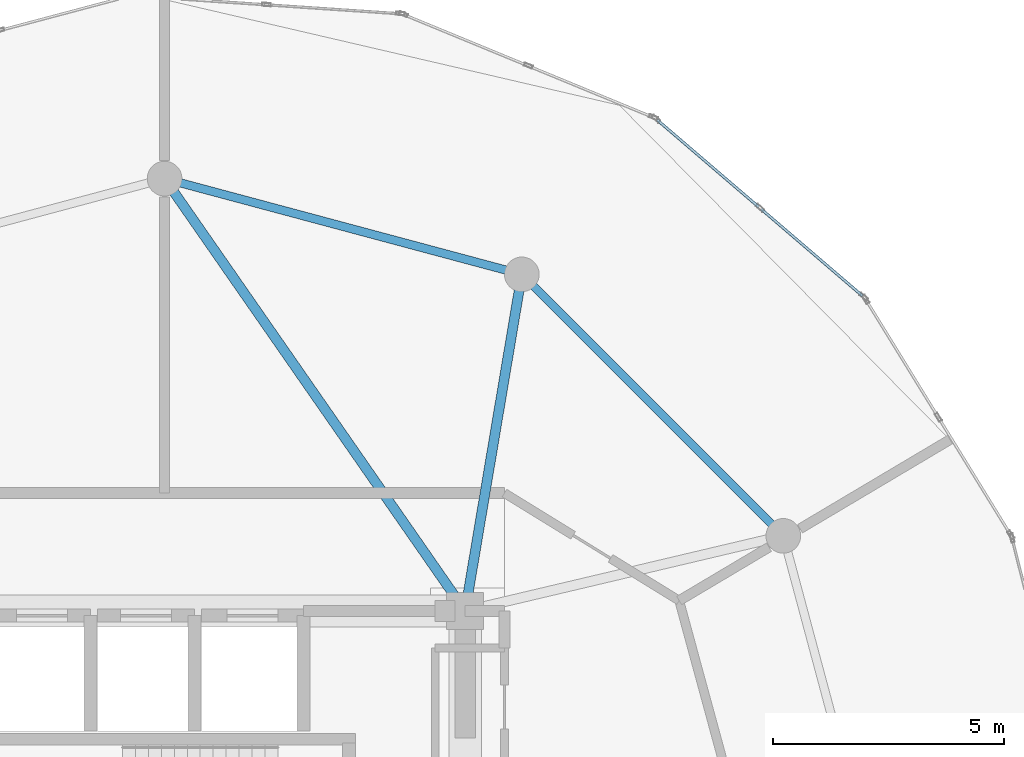
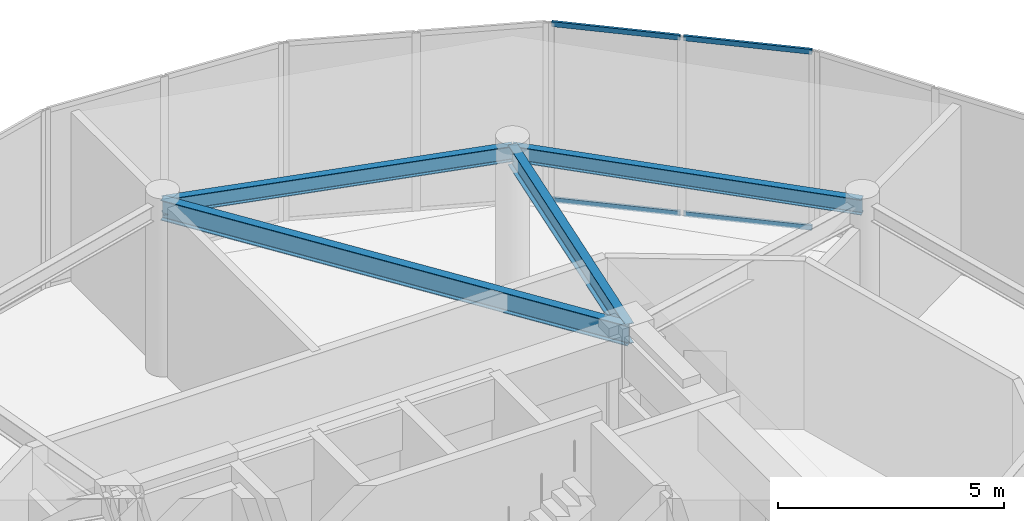
# One storey, part 13 of 21: 4 beams, 4 members, 1 element without a shape of its own.
"""IFC4 building model written with IfcOpenShell, lengths in metres."""

from ifc_helpers import new_model, si_unit, direction, frame, origin, origin_2d, place, context, subcontext, project, spatial, hollow_rectangle, i_section, extrude, source, transform, mapped, material, layer, layer_set, material_profile, profile_set, type_object, element, aggregate, save


model = new_model("IFC4")

# Units and contexts
model_context = context("Model", 3, precision=1e-05, world=origin(), true_north=direction((0.0, 1.0)))
body_context = subcontext(model_context, "Body", "Model", "MODEL_VIEW")
ifc_project = project(units=[si_unit("LENGTHUNIT", "METRE"), si_unit("AREAUNIT", "SQUARE_METRE"), si_unit("VOLUMEUNIT", "CUBIC_METRE"), si_unit("PLANEANGLEUNIT", "RADIAN"), si_unit("MASSUNIT", "GRAM", prefix="KILO")], contexts=[model_context])

# Site, building, storey
site_placement = place(None, origin())
site = spatial("IfcSite", under=ifc_project, at=site_placement, CompositionType="ELEMENT")
building_placement = place(site_placement, origin())
building = spatial("IfcBuilding", under=site, at=building_placement, Name="Solvirekh Grand Hotel", CompositionType="ELEMENT")
storey_placement = place(building_placement, frame((0.0, 0.0, 262.0)))
storey = spatial("IfcBuildingStorey", under=building, at=storey_placement, Name="L68", CompositionType="ELEMENT", Elevation=262.0)

# Beams
ifc_material_1 = material(Name="Steel S355", Category="steel")
ifc_material_profile_1 = material_profile(ifc_material_1, i_section(OverallWidth=0.2119140625, OverallDepth=0.5439453125, WebThickness=0.011962890625, FlangeThickness=0.01904296875, FilletRadius=0.013916015625, at=origin_2d()), Name="W530X123")
ifc_profile_set_1 = profile_set([ifc_material_profile_1], Name="Steel S355")
beam_type_1 = type_object("IfcBeamType", Name="Beam_Radial_W530H", PredefinedType="BEAM", material=ifc_profile_set_1)
beam_1_placement = place(storey_placement, frame((6.5, 6.10009765625, 4.298095703125), z_axis=(0.165954049106, 0.986133486697, 0.0), x_axis=(-0.986133486697, 0.165954049106, 0.0)))
element("IfcBeam", 1, at=beam_1_placement, inside=storey, type_object=beam_type_1, Name="L68 radial floor beam R03", PredefinedType="BEAM", context=body_context, shape_type="SweptSolid", body=[
    extrude(i_section(OverallWidth=0.2119140625, OverallDepth=0.5439453125, WebThickness=0.011962890625, FlangeThickness=0.01904296875, FilletRadius=0.013916015625, at=origin_2d()), origin(), (0.0, 0.0, 1.0), 7.382080078125),
])
beam_2_placement = place(storey_placement, frame((6.5, 6.10009765625, 4.298095703125), z_axis=(-0.570813192472, 0.821079959139, 0.0), x_axis=(-0.821079959139, -0.570813192472, 0.0)))
element("IfcBeam", 2, at=beam_2_placement, inside=storey, type_object=beam_type_1, Name="L68 radial floor beam R04", PredefinedType="BEAM", context=body_context, shape_type="SweptSolid", body=[
    extrude(i_section(OverallWidth=0.2119140625, OverallDepth=0.5439453125, WebThickness=0.011962890625, FlangeThickness=0.01904296875, FilletRadius=0.013916015625, at=origin_2d()), origin(), (0.0, 0.0, 1.0), 11.38720703125),
])
ifc_material_profile_2 = material_profile(ifc_material_1, i_section(OverallWidth=0.180908203125, OverallDepth=0.4169921875, WebThickness=0.010009765625, FlangeThickness=0.01611328125, FilletRadius=0.011962890625, at=origin_2d()), Name="W410X85")
ifc_profile_set_2 = profile_set([ifc_material_profile_2], Name="Steel S355")
beam_type_2 = type_object("IfcBeamType", Name="Spandrel_Ring_W410", PredefinedType="SPANDREL", material=ifc_profile_set_2)
beam_3_placement = place(storey_placement, frame((13.3798828125, 7.72509765625, 4.361083984375), z_axis=(-0.707106781187, 0.707106781187, 0.0), x_axis=(-0.707106781187, -0.707106781187, 0.0)))
element("IfcBeam", 3, at=beam_3_placement, inside=storey, type_object=beam_type_2, Name="L68 perimeter spandrel beam 2", PredefinedType="SPANDREL", context=body_context, shape_type="SweptSolid", body=[
    extrude(i_section(OverallWidth=0.180908203125, OverallDepth=0.4169921875, WebThickness=0.010009765625, FlangeThickness=0.01611328125, FilletRadius=0.011962890625, at=origin_2d()), origin(), (0.0, 0.0, 1.0), 7.9970703125),
])
beam_4_placement = place(storey_placement, frame((7.72509765625, 13.3798828125, 4.361083984375), z_axis=(-0.965921616143, 0.258834757072, 0.0), x_axis=(-0.258834757072, -0.965921616143, 0.0)))
element("IfcBeam", 4, at=beam_4_placement, inside=storey, type_object=beam_type_2, Name="L68 perimeter spandrel beam 3", PredefinedType="SPANDREL", context=body_context, shape_type="SweptSolid", body=[
    extrude(i_section(OverallWidth=0.180908203125, OverallDepth=0.4169921875, WebThickness=0.010009765625, FlangeThickness=0.01611328125, FilletRadius=0.011962890625, at=origin_2d()), origin(), (0.0, 0.0, 1.0), 7.99755859375),
])

# Curtain wall, members
ifc_material_2 = material(Name="Anodized Bronze Aluminium 6063-T6", Category="aluminium")
ifc_layer = layer(ifc_material_2, 0.18994140625)
ifc_layer_set = layer_set([ifc_layer], Name="Anodized Bronze Aluminium 6063-T6")
curtain_wall_type = type_object("IfcCurtainWallType", Name="CW_Sys5_SkyLobbyPanoramaCW", PredefinedType="NOTDEFINED", material=ifc_layer_set)
curtain_wall_placement = place(storey_placement, origin())
curtain_wall = element("IfcCurtainWall", 5, at=curtain_wall_placement, inside=storey, type_object=curtain_wall_type, Name="L68 unitised bronze-glass curtain wall CW-L68-C08", PredefinedType="NOTDEFINED")
ifc_material_profile_3 = material_profile(ifc_material_2, hollow_rectangle(XDim=0.06005859375, YDim=0.135009765625, WallThickness=0.00390625, at=origin_2d()), Name="ALU RHS 135X60X4")
ifc_profile_set_3 = profile_set([ifc_material_profile_3], Name="Anodized Bronze Aluminium 6063-T6")
member_type = type_object("IfcMemberType", Name="CWTransom_Sys5", PredefinedType="USERDEFINED", material=ifc_profile_set_3)
shared_shape = source(origin(), body_context, "Body", "SweptSolid", [
    extrude(hollow_rectangle(XDim=0.06005859375, YDim=0.135009765625, WallThickness=0.00390625, at=origin_2d()), origin(), (0.0, 0.0, 1.0), 2.887451171875),
])
member_1_placement = place(storey_placement, frame((15.0927734375, 12.91357421875, 0.030029296875), z_axis=(-0.759226758334, 0.650826189876, 0.0), x_axis=(-0.650826189876, -0.759226758334, 0.0)))
member_1 = element("IfcMember", 6, at=member_1_placement, type_object=member_type, Name="U05 transom 1.1", ObjectType="TRANSOM", PredefinedType="USERDEFINED", context=body_context, shape_type="MappedRepresentation", body=[
    mapped(shared_shape, transform((0.0, 0.0, 0.0), x_axis=(1.0, 0.0, 0.0), y_axis=(0.0, 1.0, 0.0), z_axis=(0.0, 0.0, 1.0), scale=1.0)),
])
member_2_placement = place(storey_placement, frame((15.0927734375, 12.91357421875, 4.77001953125), z_axis=(-0.759226758334, 0.650826189876, 0.0), x_axis=(-0.650826189876, -0.759226758334, 0.0)))
member_2 = element("IfcMember", 7, at=member_2_placement, type_object=member_type, Name="U05 transom 1.2", ObjectType="TRANSOM", PredefinedType="USERDEFINED", context=body_context, shape_type="MappedRepresentation", body=[
    mapped(shared_shape, transform((0.0, 0.0, 0.0), x_axis=(1.0, 0.0, 0.0), y_axis=(0.0, 1.0, 0.0), z_axis=(0.0, 0.0, 1.0), scale=1.0)),
])
member_3_placement = place(storey_placement, frame((12.847412109375, 14.83837890625, 0.030029296875), z_axis=(-0.759262570597, 0.650784410455, 0.0), x_axis=(-0.650784410455, -0.759262570597, 0.0)))
member_3 = element("IfcMember", 8, at=member_3_placement, type_object=member_type, Name="U05 transom 2.1", ObjectType="TRANSOM", PredefinedType="USERDEFINED", context=body_context, shape_type="MappedRepresentation", body=[
    mapped(shared_shape, transform((0.0, 0.0, 0.0), x_axis=(1.0, 0.0, 0.0), y_axis=(0.0, 1.0, 0.0), z_axis=(0.0, 0.0, 1.0), scale=1.0)),
])
member_4_placement = place(storey_placement, frame((12.847412109375, 14.83837890625, 4.77001953125), z_axis=(-0.759262570597, 0.650784410455, 0.0), x_axis=(-0.650784410455, -0.759262570597, 0.0)))
member_4 = element("IfcMember", 9, at=member_4_placement, type_object=member_type, Name="U05 transom 2.2", ObjectType="TRANSOM", PredefinedType="USERDEFINED", context=body_context, shape_type="MappedRepresentation", body=[
    mapped(shared_shape, transform((0.0, 0.0, 0.0), x_axis=(1.0, 0.0, 0.0), y_axis=(0.0, 1.0, 0.0), z_axis=(0.0, 0.0, 1.0), scale=1.0)),
])
aggregate(curtain_wall, [member_1, member_2, member_3, member_4])

save(model, "model.ifc")
